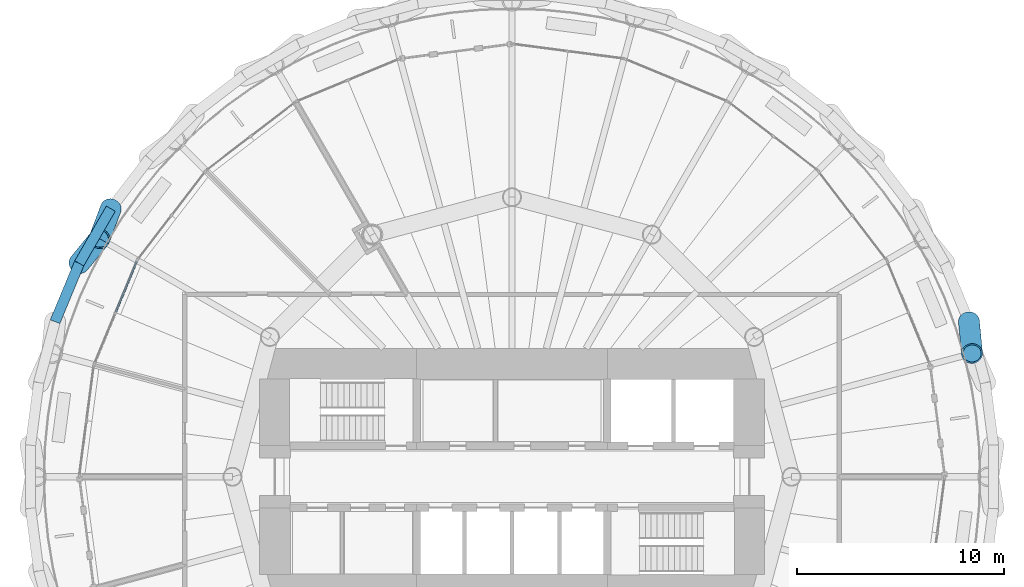
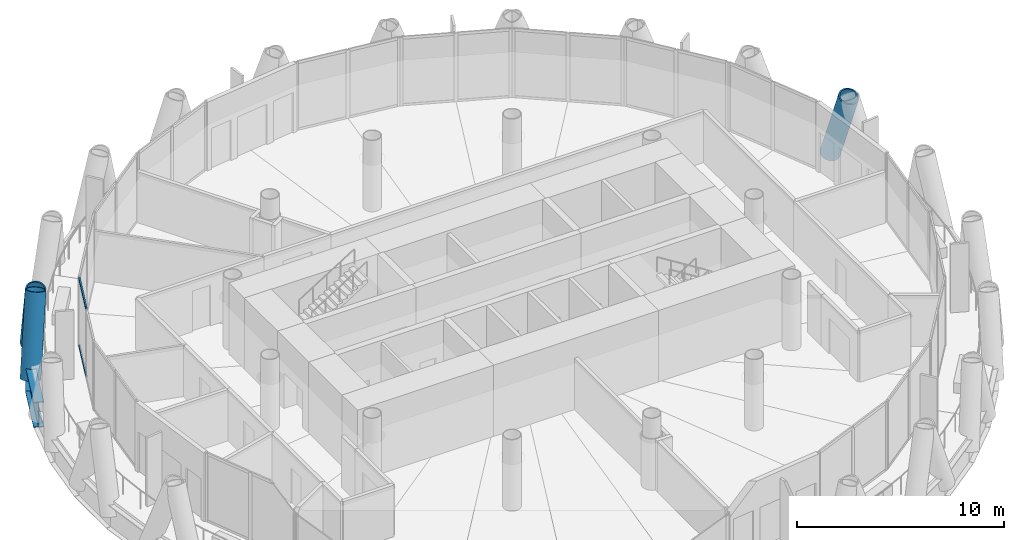
# One storey, part 5 of 14: 5 members, 2 beams, 1 element without a shape of its own.
"""IFC4 building model written with IfcOpenShell, lengths in metres."""

from ifc_helpers import new_model, si_unit, direction, frame, origin, origin_2d, place, context, subcontext, project, spatial, rectangle, hollow_circle, i_section, extrude, material, material_profile, profile_set, type_object, element, aggregate, save


model = new_model("IFC4")

# Units and contexts
model_context = context("Model", 3, precision=1e-05, world=origin(), true_north=direction((0.0, 1.0)))
body_context = subcontext(model_context, "Body", "Model", "MODEL_VIEW")
ifc_project = project(units=[si_unit("LENGTHUNIT", "METRE"), si_unit("AREAUNIT", "SQUARE_METRE"), si_unit("VOLUMEUNIT", "CUBIC_METRE"), si_unit("PLANEANGLEUNIT", "RADIAN"), si_unit("MASSUNIT", "GRAM", prefix="KILO")], contexts=[model_context])

# Site, building, storey
site_placement = place(None, origin())
site = spatial("IfcSite", under=ifc_project, at=site_placement, CompositionType="ELEMENT")
building_placement = place(site_placement, origin())
building = spatial("IfcBuilding", under=site, at=building_placement, Name="Qaws Media Tower", CompositionType="ELEMENT")
storey_placement = place(building_placement, frame((0.0, 0.0, 206.60009765625)))
storey = spatial("IfcBuildingStorey", under=building, at=storey_placement, Name="L47", CompositionType="ELEMENT", Elevation=206.60009765625)

# Curtain wall, members
ifc_material_1 = material(Name="Aluminium and clear glass", Category="aluminium")
curtain_wall_type = type_object("IfcCurtainWallType", Name="Unitised curtain wall CW-C", PredefinedType="NOTDEFINED", material=ifc_material_1)
curtain_wall_placement = place(storey_placement, origin())
curtain_wall = element("IfcCurtainWall", 1, at=curtain_wall_placement, inside=storey, type_object=curtain_wall_type, Name="CWC curtain wall L47-11", PredefinedType="NOTDEFINED")
ifc_material_2 = material(Name="Aluminium transom", Category="aluminium")
ifc_material_profile_1 = material_profile(ifc_material_2, rectangle(XDim=0.080078125, YDim=0.159912109375, at=origin_2d()), Name="80x160")
ifc_profile_set_1 = profile_set([ifc_material_profile_1], Name="Aluminium transom")
member_type_1 = type_object("IfcMemberType", Name="Curtain wall transom 80x160", PredefinedType="USERDEFINED", material=ifc_profile_set_1)
member_1_placement = place(storey_placement, frame((41.869384765625, 60.3759765625, 0.039794921875), z_axis=(-0.382693528503, -0.923875350489, 0.0), x_axis=(0.923875350489, -0.382693528503, 0.0)))
member_1 = element("IfcMember", 2, at=member_1_placement, type_object=member_type_1, Name="CWC transom 1.1", ObjectType="TRANSOM", PredefinedType="USERDEFINED", context=body_context, shape_type="SweptSolid", body=[
    extrude(rectangle(XDim=0.080078125, YDim=0.159912109375, at=origin_2d()), origin(), (0.0, 0.0, 1.0), 2.60791015625),
])
member_2_placement = place(storey_placement, frame((41.869384765625, 60.3759765625, 4.0), z_axis=(-0.382693528503, -0.923875350489, 0.0), x_axis=(0.923875350489, -0.382693528503, 0.0)))
member_2 = element("IfcMember", 3, at=member_2_placement, type_object=member_type_1, Name="CWC transom 1.2", ObjectType="TRANSOM", PredefinedType="USERDEFINED", context=body_context, shape_type="SweptSolid", body=[
    extrude(rectangle(XDim=0.080078125, YDim=0.159912109375, at=origin_2d()), origin(), (0.0, 0.0, 1.0), 2.60791015625),
])
aggregate(curtain_wall, [member_1, member_2])

# Members
ifc_material_3 = material(Name="Steel S460", Category="steel")
ifc_material_profile_2 = material_profile(ifc_material_3, hollow_circle(Radius=0.508056640625, WallThickness=0.070068359375, at=origin_2d()), Name="CHS 1016x70")
ifc_profile_set_2 = profile_set([ifc_material_profile_2], Name="Steel S460")
member_type_2 = type_object("IfcMemberType", Name="Diagrid member CHS 1016x70", PredefinedType="USERDEFINED", material=ifc_profile_set_2)
for number, where, z_axis, x_axis, name in (
    (4, (82.0634765625, 57.489501953125, -0.91015625), (0.034153665458, -0.343391645998, 0.938571097251), (0.99509027013, 0.098971482221, 0.0), "DG3 diagrid L47 B02"),
    (5, (40.626708984375, 62.94482421875, -0.91015625), (-0.121882547389, -0.322874178804, 0.938561084482), (0.935560331007, -0.353166911029, 0.0), "DG3 diagrid L47 A10"),
    (6, (39.102783203125, 60.305419921875, -0.91015625), (0.218671012683, 0.266955405454, 0.93857221337), (-0.77359792083, 0.633676776351, 0.0), "DG3 diagrid L47 B11"),
):
    element("IfcMember", number, at=place(storey_placement, frame(where, z_axis=z_axis, x_axis=x_axis)), inside=storey, type_object=member_type_2, Name=name, ObjectType="DIAGRID", PredefinedType="USERDEFINED", context=body_context, shape_type="SweptSolid", body=[
        extrude(hollow_circle(Radius=0.508056640625, WallThickness=0.070068359375, at=origin_2d()), origin(), (0.0, 0.0, 1.0), 4.474853515625),
    ])

# Beams
ifc_material_4 = material(Name="Steel S460", Category="steel")
ifc_material_profile_3 = material_profile(ifc_material_4, i_section(OverallWidth=0.5, OverallDepth=1.5, WebThickness=0.02001953125, FlangeThickness=0.0400390625, at=origin_2d()), Name="PG 1500x500")
ifc_profile_set_3 = profile_set([ifc_material_profile_3], Name="Steel S460")
beam_type = type_object("IfcBeamType", Name="Edge ring beam PG 1500x500", PredefinedType="BEAM", material=ifc_profile_set_3)
for number, where, z_axis, x_axis, name in (
    (7, (40.626708984375, 62.94482421875, -0.91015625), (-0.500015995287, -0.866016168704, 0.0), (0.866016168704, -0.500015995287, 0.0), "RB4 edge ring beam L47-20"),
    (8, (39.102783203125, 60.305419921875, -0.91015625), (-0.382646564361, -0.923894802877, 0.0), (0.923894802877, -0.382646564361, 0.0), "RB4 edge ring beam L47-21"),
):
    element("IfcBeam", number, at=place(storey_placement, frame(where, z_axis=z_axis, x_axis=x_axis)), inside=storey, type_object=beam_type, Name=name, PredefinedType="BEAM", context=body_context, shape_type="SweptSolid", body=[
        extrude(i_section(OverallWidth=0.5, OverallDepth=1.5, WebThickness=0.02001953125, FlangeThickness=0.0400390625, at=origin_2d()), origin(), (0.0, 0.0, 1.0), 3.0478515625),
    ])

save(model, "model.ifc")
